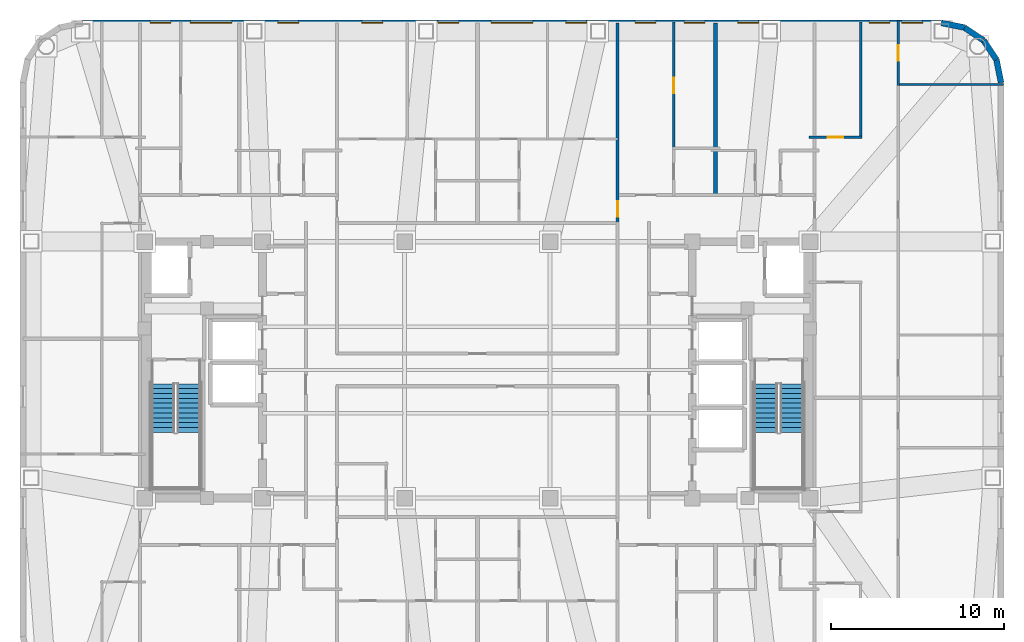
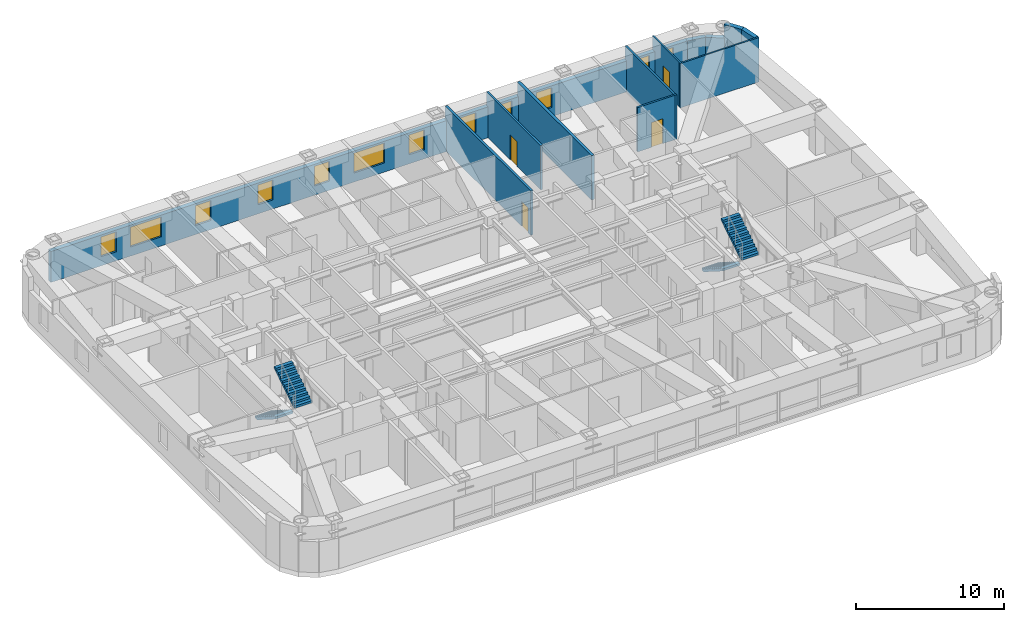
# One storey, part 14 of 16: 12 walls, 12 windows, 4 doors, 4 stair flights, 16 openings, 2 elements without a shape of their own.
"""IFC4 building model written with IfcOpenShell, lengths in metres."""

from ifc_helpers import new_model, si_unit, direction, frame, frame_2d, origin, place, context, subcontext, project, spatial, polyline, rectangle, outline, extrude, material, layer, layer_set, type_object, element, fill, aggregate, save


model = new_model("IFC4")

# Units and contexts
model_context = context("Model", 3, precision=1e-05, world=origin(), true_north=direction((0.0, 1.0)))
body_context = subcontext(model_context, "Body", "Model", "MODEL_VIEW")
ifc_project = project(units=[si_unit("LENGTHUNIT", "METRE"), si_unit("AREAUNIT", "SQUARE_METRE"), si_unit("VOLUMEUNIT", "CUBIC_METRE"), si_unit("PLANEANGLEUNIT", "RADIAN"), si_unit("MASSUNIT", "GRAM", prefix="KILO")], contexts=[model_context])

# Site, building, storey
site_placement = place(None, origin())
site = spatial("IfcSite", under=ifc_project, at=site_placement, CompositionType="ELEMENT")
building_placement = place(site_placement, origin())
building = spatial("IfcBuilding", under=site, at=building_placement, Name="Voryun Gate Residences", CompositionType="ELEMENT")
storey_placement = place(building_placement, frame((0.0, 0.0, 200.199951171875)))
storey = spatial("IfcBuildingStorey", under=building, at=storey_placement, Name="L49", CompositionType="ELEMENT", Elevation=200.199951171875)

# Wall, opening, door
ifc_material_1 = material(Name="Gypsum acoustic fireboard")
ifc_layer_1 = layer(ifc_material_1, 0.179931640625, Name="W_CORR_RATED_180")
ifc_layer_set_1 = layer_set([ifc_layer_1], Name="Gypsum acoustic fireboard")
wall_type_1 = type_object("IfcWallType", Name="W_CORR_RATED_180", PredefinedType="PARTITIONING", material=ifc_layer_set_1)
wall_1_placement = place(storey_placement, frame((8.10009765625, 8.489990234375, 0.0), z_axis=(0.0, 0.0, 1.0), x_axis=(0.0, 1.0, 0.0)))
wall_1 = element("IfcWall", 1, at=wall_1_placement, inside=storey, type_object=wall_type_1, Name="Partition wall WP-L49-NZV-2", PredefinedType="PARTITIONING", context=body_context, shape_type="SweptSolid", body=[
    extrude(rectangle(XDim=11.5400390625, YDim=0.179931640625, at=frame_2d((5.77001953125, 0.0))), origin(), (0.0, 0.0, 1.0), 3.650146484375),
])
opening_1_placement = place(wall_1_placement, frame((0.349609375, 0.0, 0.0)))
opening_1 = element("IfcOpeningElement", 2, at=opening_1_placement, cuts=wall_1, Name="Opening D-INT-2", PredefinedType="OPENING", context=body_context, shape_type="SweptSolid", body=[
    extrude(rectangle(XDim=0.89990234375, YDim=2.050048828125, at=frame_2d((0.449951171875, 1.02490234375))), frame((0.0, 0.099853515625, 0.0), z_axis=(0.0, -1.0, 0.0), x_axis=(1.0, 0.0, 0.0)), (0.0, 0.0, 1.0), 0.199951171875),
])
ifc_material_2 = material(Name="Architectural oak veneer")
door_type = type_object("IfcDoorType", Name="DR_INT_BATH_900", OperationType="NOTDEFINED", PredefinedType="DOOR", material=ifc_material_2)
door_1_placement = place(opening_1_placement, origin())
door_1 = element("IfcDoor", 3, at=door_1_placement, inside=storey, type_object=door_type, Name="Door DR-L49-NZENT-2", OperationType="SINGLE_SWING_RIGHT", OverallHeight=2.050048828125, OverallWidth=0.89990234375, PredefinedType="DOOR", context=body_context, shape_type="SweptSolid", body=[
    extrude(rectangle(XDim=0.89990234375, YDim=2.050048828125, at=frame_2d((0.449951171875, 1.02490234375))), frame((0.0, 0.02490234375, 0.0), z_axis=(0.0, -1.0, 0.0), x_axis=(1.0, 0.0, 0.0)), (0.0, 0.0, 1.0), 0.050048828125),
])
fill(opening_1, door_1)

# Wall, openings, windows
ifc_material_3 = material(Name="Charcoal terracotta masonry", Category="masonry")
ifc_layer_2 = layer(ifc_material_3, 0.340087890625, Name="W_EXT_TERRACOTTA_340")
ifc_layer_set_2 = layer_set([ifc_layer_2], Name="Charcoal terracotta masonry")
wall_type_2 = type_object("IfcWallType", Name="W_EXT_TERRACOTTA_340", PredefinedType="ELEMENTEDWALL", material=ifc_layer_set_2)
wall_2_placement = place(storey_placement, frame((-22.783203125, 20.030029296875, 0.0), z_axis=(0.0, 0.0, 1.0), x_axis=(1.0, 0.0, 0.0)))
wall_2 = element("IfcWall", 4, at=wall_2_placement, inside=storey, type_object=wall_type_2, Name="Exterior wall WEXT-L49-11", PredefinedType="ELEMENTEDWALL", context=body_context, shape_type="SweptSolid", body=[
    extrude(rectangle(XDim=49.56640625, YDim=0.340087890625, at=frame_2d((24.783203125, 0.0))), origin(), (0.0, 0.0, 1.0), 2.5400390625),
])
opening_2_placement = place(wall_2_placement, frame((6.211181640625, 0.0, 0.75)))
opening_2 = element("IfcOpeningElement", 5, at=opening_2_placement, cuts=wall_2, Name="Opening WN2", PredefinedType="OPENING", context=body_context, shape_type="SweptSolid", body=[
    extrude(rectangle(XDim=2.39990234375, YDim=1.6298828125, at=frame_2d((1.199951171875, 0.81494140625))), frame((0.0, 0.179931640625, 0.0), z_axis=(0.0, -1.0, 0.0), x_axis=(1.0, 0.0, 0.0)), (0.0, 0.0, 1.0), 0.360107421875),
])
opening_3_placement = place(wall_2_placement, frame((23.583251953125, 0.0, 0.75)))
opening_3 = element("IfcOpeningElement", 6, at=opening_3_placement, cuts=wall_2, Name="Opening WN2", PredefinedType="OPENING", context=body_context, shape_type="SweptSolid", body=[
    extrude(rectangle(XDim=2.39990234375, YDim=1.6298828125, at=frame_2d((1.199951171875, 0.81494140625))), frame((0.0, 0.179931640625, 0.0), z_axis=(0.0, -1.0, 0.0), x_axis=(1.0, 0.0, 0.0)), (0.0, 0.0, 1.0), 0.360107421875),
])
opening_4_placement = place(wall_2_placement, frame((3.892822265625, 0.0, 0.75)))
opening_4 = element("IfcOpeningElement", 7, at=opening_4_placement, cuts=wall_2, Name="Opening WN6", PredefinedType="OPENING", context=body_context, shape_type="SweptSolid", body=[
    extrude(rectangle(XDim=1.199951171875, YDim=1.6298828125, at=frame_2d((0.60009765625, 0.81494140625))), frame((0.0, 0.179931640625, 0.0), z_axis=(0.0, -1.0, 0.0), x_axis=(1.0, 0.0, 0.0)), (0.0, 0.0, 1.0), 0.360107421875),
])
opening_5_placement = place(wall_2_placement, frame((11.273193359375, 0.0, 0.75)))
opening_5 = element("IfcOpeningElement", 8, at=opening_5_placement, cuts=wall_2, Name="Opening WN6", PredefinedType="OPENING", context=body_context, shape_type="SweptSolid", body=[
    extrude(rectangle(XDim=1.199951171875, YDim=1.6298828125, at=frame_2d((0.60009765625, 0.81494140625))), frame((0.0, 0.179931640625, 0.0), z_axis=(0.0, -1.0, 0.0), x_axis=(1.0, 0.0, 0.0)), (0.0, 0.0, 1.0), 0.360107421875),
])
opening_6_placement = place(wall_2_placement, frame((31.888916015625, 0.0, 0.75)))
opening_6 = element("IfcOpeningElement", 9, at=opening_6_placement, cuts=wall_2, Name="Opening WN6", PredefinedType="OPENING", context=body_context, shape_type="SweptSolid", body=[
    extrude(rectangle(XDim=1.199951171875, YDim=1.6298828125, at=frame_2d((0.60009765625, 0.81494140625))), frame((0.0, 0.179931640625, 0.0), z_axis=(0.0, -1.0, 0.0), x_axis=(1.0, 0.0, 0.0)), (0.0, 0.0, 1.0), 0.360107421875),
])
opening_7_placement = place(wall_2_placement, frame((34.71875, 0.0, 0.75)))
opening_7 = element("IfcOpeningElement", 10, at=opening_7_placement, cuts=wall_2, Name="Opening WN6", PredefinedType="OPENING", context=body_context, shape_type="SweptSolid", body=[
    extrude(rectangle(XDim=1.199951171875, YDim=1.6298828125, at=frame_2d((0.60009765625, 0.81494140625))), frame((0.0, 0.179931640625, 0.0), z_axis=(0.0, -1.0, 0.0), x_axis=(1.0, 0.0, 0.0)), (0.0, 0.0, 1.0), 0.360107421875),
])
opening_8_placement = place(wall_2_placement, frame((37.8232421875, 0.0, 0.75)))
opening_8 = element("IfcOpeningElement", 11, at=opening_8_placement, cuts=wall_2, Name="Opening WN6", PredefinedType="OPENING", context=body_context, shape_type="SweptSolid", body=[
    extrude(rectangle(XDim=1.199951171875, YDim=1.6298828125, at=frame_2d((0.60009765625, 0.81494140625))), frame((0.0, 0.179931640625, 0.0), z_axis=(0.0, -1.0, 0.0), x_axis=(1.0, 0.0, 0.0)), (0.0, 0.0, 1.0), 0.360107421875),
])
opening_9_placement = place(wall_2_placement, frame((16.11328125, 0.0, 0.75)))
opening_9 = element("IfcOpeningElement", 12, at=opening_9_placement, cuts=wall_2, Name="Opening WN6", PredefinedType="OPENING", context=body_context, shape_type="SweptSolid", body=[
    extrude(rectangle(XDim=1.199951171875, YDim=1.6298828125, at=frame_2d((0.60009765625, 0.81494140625))), frame((0.0, 0.179931640625, 0.0), z_axis=(0.0, -1.0, 0.0), x_axis=(1.0, 0.0, 0.0)), (0.0, 0.0, 1.0), 0.360107421875),
])
opening_10_placement = place(wall_2_placement, frame((20.51318359375, 0.0, 0.75)))
opening_10 = element("IfcOpeningElement", 13, at=opening_10_placement, cuts=wall_2, Name="Opening WN6", PredefinedType="OPENING", context=body_context, shape_type="SweptSolid", body=[
    extrude(rectangle(XDim=1.199951171875, YDim=1.6298828125, at=frame_2d((0.60009765625, 0.81494140625))), frame((0.0, 0.179931640625, 0.0), z_axis=(0.0, -1.0, 0.0), x_axis=(1.0, 0.0, 0.0)), (0.0, 0.0, 1.0), 0.360107421875),
])
opening_11_placement = place(wall_2_placement, frame((27.893310546875, 0.0, 0.75)))
opening_11 = element("IfcOpeningElement", 14, at=opening_11_placement, cuts=wall_2, Name="Opening WN6", PredefinedType="OPENING", context=body_context, shape_type="SweptSolid", body=[
    extrude(rectangle(XDim=1.199951171875, YDim=1.6298828125, at=frame_2d((0.60009765625, 0.81494140625))), frame((0.0, 0.179931640625, 0.0), z_axis=(0.0, -1.0, 0.0), x_axis=(1.0, 0.0, 0.0)), (0.0, 0.0, 1.0), 0.360107421875),
])
opening_12_placement = place(wall_2_placement, frame((45.393310546875, 0.0, 0.75)))
opening_12 = element("IfcOpeningElement", 15, at=opening_12_placement, cuts=wall_2, Name="Opening WN6", PredefinedType="OPENING", context=body_context, shape_type="SweptSolid", body=[
    extrude(rectangle(XDim=1.199951171875, YDim=1.6298828125, at=frame_2d((0.60009765625, 0.81494140625))), frame((0.0, 0.179931640625, 0.0), z_axis=(0.0, -1.0, 0.0), x_axis=(1.0, 0.0, 0.0)), (0.0, 0.0, 1.0), 0.360107421875),
])
opening_13_placement = place(wall_2_placement, frame((47.280029296875, 0.0, 0.75)))
opening_13 = element("IfcOpeningElement", 16, at=opening_13_placement, cuts=wall_2, Name="Opening WN6", PredefinedType="OPENING", context=body_context, shape_type="SweptSolid", body=[
    extrude(rectangle(XDim=1.199951171875, YDim=1.6298828125, at=frame_2d((0.60009765625, 0.81494140625))), frame((0.0, 0.179931640625, 0.0), z_axis=(0.0, -1.0, 0.0), x_axis=(1.0, 0.0, 0.0)), (0.0, 0.0, 1.0), 0.360107421875),
])
ifc_material_4 = material(Name="Laminated low-E glass", Category="glass")
window_type_1 = type_object("IfcWindowType", Name="WN_POD_SLOT_1200", PartitioningType="SINGLE_PANEL", PredefinedType="WINDOW", material=ifc_material_4)
window_1_placement = place(opening_4_placement, origin())
window_1 = element("IfcWindow", 17, at=window_1_placement, inside=storey, type_object=window_type_1, Name="Window WN-L49-DWFIX-01", OverallHeight=1.6298828125, OverallWidth=1.199951171875, PartitioningType="SINGLE_PANEL", PredefinedType="WINDOW", context=body_context, shape_type="SweptSolid", body=[
    extrude(rectangle(XDim=1.199951171875, YDim=1.6298828125, at=frame_2d((0.60009765625, 0.81494140625))), frame((0.0, 0.030029296875, 0.0), z_axis=(0.0, -1.0, 0.0), x_axis=(1.0, 0.0, 0.0)), (0.0, 0.0, 1.0), 0.06005859375),
])
fill(opening_4, window_1)
window_2_placement = place(opening_5_placement, origin())
window_2 = element("IfcWindow", 18, at=window_2_placement, inside=storey, type_object=window_type_1, Name="Window WN-L49-DWFIX-02", OverallHeight=1.6298828125, OverallWidth=1.199951171875, PartitioningType="SINGLE_PANEL", PredefinedType="WINDOW", context=body_context, shape_type="SweptSolid", body=[
    extrude(rectangle(XDim=1.199951171875, YDim=1.6298828125, at=frame_2d((0.60009765625, 0.81494140625))), frame((0.0, 0.030029296875, 0.0), z_axis=(0.0, -1.0, 0.0), x_axis=(1.0, 0.0, 0.0)), (0.0, 0.0, 1.0), 0.06005859375),
])
fill(opening_5, window_2)
window_3_placement = place(opening_6_placement, origin())
window_3 = element("IfcWindow", 19, at=window_3_placement, inside=storey, type_object=window_type_1, Name="Window WN-L49-DWFIX-03", OverallHeight=1.6298828125, OverallWidth=1.199951171875, PartitioningType="SINGLE_PANEL", PredefinedType="WINDOW", context=body_context, shape_type="SweptSolid", body=[
    extrude(rectangle(XDim=1.199951171875, YDim=1.6298828125, at=frame_2d((0.60009765625, 0.81494140625))), frame((0.0, 0.030029296875, 0.0), z_axis=(0.0, -1.0, 0.0), x_axis=(1.0, 0.0, 0.0)), (0.0, 0.0, 1.0), 0.06005859375),
])
fill(opening_6, window_3)
window_4_placement = place(opening_7_placement, origin())
window_4 = element("IfcWindow", 20, at=window_4_placement, inside=storey, type_object=window_type_1, Name="Window WN-L49-DWFIX-04", OverallHeight=1.6298828125, OverallWidth=1.199951171875, PartitioningType="SINGLE_PANEL", PredefinedType="WINDOW", context=body_context, shape_type="SweptSolid", body=[
    extrude(rectangle(XDim=1.199951171875, YDim=1.6298828125, at=frame_2d((0.60009765625, 0.81494140625))), frame((0.0, 0.030029296875, 0.0), z_axis=(0.0, -1.0, 0.0), x_axis=(1.0, 0.0, 0.0)), (0.0, 0.0, 1.0), 0.06005859375),
])
fill(opening_7, window_4)
window_5_placement = place(opening_8_placement, origin())
window_5 = element("IfcWindow", 21, at=window_5_placement, inside=storey, type_object=window_type_1, Name="Window WN-L49-DWFIX-05", OverallHeight=1.6298828125, OverallWidth=1.199951171875, PartitioningType="SINGLE_PANEL", PredefinedType="WINDOW", context=body_context, shape_type="SweptSolid", body=[
    extrude(rectangle(XDim=1.199951171875, YDim=1.6298828125, at=frame_2d((0.60009765625, 0.81494140625))), frame((0.0, 0.030029296875, 0.0), z_axis=(0.0, -1.0, 0.0), x_axis=(1.0, 0.0, 0.0)), (0.0, 0.0, 1.0), 0.06005859375),
])
fill(opening_8, window_5)
window_6_placement = place(opening_9_placement, origin())
window_6 = element("IfcWindow", 22, at=window_6_placement, inside=storey, type_object=window_type_1, Name="Window WN-L49-DWFIX-06", OverallHeight=1.6298828125, OverallWidth=1.199951171875, PartitioningType="SINGLE_PANEL", PredefinedType="WINDOW", context=body_context, shape_type="SweptSolid", body=[
    extrude(rectangle(XDim=1.199951171875, YDim=1.6298828125, at=frame_2d((0.60009765625, 0.81494140625))), frame((0.0, 0.030029296875, 0.0), z_axis=(0.0, -1.0, 0.0), x_axis=(1.0, 0.0, 0.0)), (0.0, 0.0, 1.0), 0.06005859375),
])
fill(opening_9, window_6)
window_7_placement = place(opening_10_placement, origin())
window_7 = element("IfcWindow", 23, at=window_7_placement, inside=storey, type_object=window_type_1, Name="Window WN-L49-DWFIX-07", OverallHeight=1.6298828125, OverallWidth=1.199951171875, PartitioningType="SINGLE_PANEL", PredefinedType="WINDOW", context=body_context, shape_type="SweptSolid", body=[
    extrude(rectangle(XDim=1.199951171875, YDim=1.6298828125, at=frame_2d((0.60009765625, 0.81494140625))), frame((0.0, 0.030029296875, 0.0), z_axis=(0.0, -1.0, 0.0), x_axis=(1.0, 0.0, 0.0)), (0.0, 0.0, 1.0), 0.06005859375),
])
fill(opening_10, window_7)
window_8_placement = place(opening_11_placement, origin())
window_8 = element("IfcWindow", 24, at=window_8_placement, inside=storey, type_object=window_type_1, Name="Window WN-L49-DWFIX-08", OverallHeight=1.6298828125, OverallWidth=1.199951171875, PartitioningType="SINGLE_PANEL", PredefinedType="WINDOW", context=body_context, shape_type="SweptSolid", body=[
    extrude(rectangle(XDim=1.199951171875, YDim=1.6298828125, at=frame_2d((0.60009765625, 0.81494140625))), frame((0.0, 0.030029296875, 0.0), z_axis=(0.0, -1.0, 0.0), x_axis=(1.0, 0.0, 0.0)), (0.0, 0.0, 1.0), 0.06005859375),
])
fill(opening_11, window_8)
window_9_placement = place(opening_12_placement, origin())
window_9 = element("IfcWindow", 25, at=window_9_placement, inside=storey, type_object=window_type_1, Name="Window WN-L49-DWFIX-14", OverallHeight=1.6298828125, OverallWidth=1.199951171875, PartitioningType="SINGLE_PANEL", PredefinedType="WINDOW", context=body_context, shape_type="SweptSolid", body=[
    extrude(rectangle(XDim=1.199951171875, YDim=1.6298828125, at=frame_2d((0.60009765625, 0.81494140625))), frame((0.0, 0.030029296875, 0.0), z_axis=(0.0, -1.0, 0.0), x_axis=(1.0, 0.0, 0.0)), (0.0, 0.0, 1.0), 0.06005859375),
])
fill(opening_12, window_9)
window_10_placement = place(opening_13_placement, origin())
window_10 = element("IfcWindow", 26, at=window_10_placement, inside=storey, type_object=window_type_1, Name="Window WN-L49-DWFIX-15", OverallHeight=1.6298828125, OverallWidth=1.199951171875, PartitioningType="SINGLE_PANEL", PredefinedType="WINDOW", context=body_context, shape_type="SweptSolid", body=[
    extrude(rectangle(XDim=1.199951171875, YDim=1.6298828125, at=frame_2d((0.60009765625, 0.81494140625))), frame((0.0, 0.030029296875, 0.0), z_axis=(0.0, -1.0, 0.0), x_axis=(1.0, 0.0, 0.0)), (0.0, 0.0, 1.0), 0.06005859375),
])
fill(opening_13, window_10)
ifc_material_5 = material(Name="Laminated low-E glass", Category="glass")
window_type_2 = type_object("IfcWindowType", Name="WN_RES_WIDE_2400", PartitioningType="SINGLE_PANEL", PredefinedType="WINDOW", material=ifc_material_5)
window_11_placement = place(opening_2_placement, origin())
window_11 = element("IfcWindow", 27, at=window_11_placement, inside=storey, type_object=window_type_2, Name="Window WN-WEXT-L49-11-01", OverallHeight=1.6298828125, OverallWidth=2.39990234375, PartitioningType="SINGLE_PANEL", PredefinedType="WINDOW", context=body_context, shape_type="SweptSolid", body=[
    extrude(rectangle(XDim=2.39990234375, YDim=1.6298828125, at=frame_2d((1.199951171875, 0.81494140625))), frame((0.0, 0.030029296875, 0.0), z_axis=(0.0, -1.0, 0.0), x_axis=(1.0, 0.0, 0.0)), (0.0, 0.0, 1.0), 0.06005859375),
])
fill(opening_2, window_11)
window_12_placement = place(opening_3_placement, origin())
window_12 = element("IfcWindow", 28, at=window_12_placement, inside=storey, type_object=window_type_2, Name="Window WN-WEXT-L49-11-02", OverallHeight=1.6298828125, OverallWidth=2.39990234375, PartitioningType="SINGLE_PANEL", PredefinedType="WINDOW", context=body_context, shape_type="SweptSolid", body=[
    extrude(rectangle(XDim=2.39990234375, YDim=1.6298828125, at=frame_2d((1.199951171875, 0.81494140625))), frame((0.0, 0.030029296875, 0.0), z_axis=(0.0, -1.0, 0.0), x_axis=(1.0, 0.0, 0.0)), (0.0, 0.0, 1.0), 0.06005859375),
])
fill(opening_3, window_12)

# Walls
wall_3_placement = place(storey_placement, frame((26.783203125, 20.030029296875, 0.0), z_axis=(0.0, 0.0, 1.0), x_axis=(0.980788153188, -0.195075878998, 0.0)))
element("IfcWall", 29, at=wall_3_placement, inside=storey, type_object=wall_type_2, Name="Exterior wall WEXT-L49-12", PredefinedType="ELEMENTEDWALL", context=body_context, shape_type="SweptSolid", body=[
    extrude(rectangle(XDim=1.354248046875, YDim=0.340087890625, at=frame_2d((0.67724609375, 0.0))), origin(), (0.0, 0.0, 1.0), 2.5400390625),
])
wall_4_placement = place(storey_placement, frame((28.111328125, 19.765869140625, 0.0), z_axis=(0.0, 0.0, 1.0), x_axis=(0.831403586725, -0.555669034571, 0.0)))
element("IfcWall", 30, at=wall_4_placement, inside=storey, type_object=wall_type_2, Name="Exterior wall WEXT-L49-13", PredefinedType="ELEMENTEDWALL", context=body_context, shape_type="SweptSolid", body=[
    extrude(rectangle(XDim=1.3369140625, YDim=0.340087890625, at=frame_2d((0.66845703125, 0.0))), origin(), (0.0, 0.0, 1.0), 2.5400390625),
])
wall_5_placement = place(storey_placement, frame((29.222900390625, 19.02294921875, 0.0), z_axis=(0.0, 0.0, 1.0), x_axis=(0.555669034571, -0.831403586725, 0.0)))
element("IfcWall", 31, at=wall_5_placement, inside=storey, type_object=wall_type_2, Name="Exterior wall WEXT-L49-14", PredefinedType="ELEMENTEDWALL", context=body_context, shape_type="SweptSolid", body=[
    extrude(rectangle(XDim=1.3369140625, YDim=0.340087890625, at=frame_2d((0.66845703125, 0.0))), origin(), (0.0, 0.0, 1.0), 3.650146484375),
])
wall_6_placement = place(storey_placement, frame((29.9658203125, 17.911376953125, 0.0), z_axis=(0.0, 0.0, 1.0), x_axis=(0.195075878998, -0.980788153188, 0.0)))
element("IfcWall", 32, at=wall_6_placement, inside=storey, type_object=wall_type_2, Name="Exterior wall WEXT-L49-15", PredefinedType="ELEMENTEDWALL", context=body_context, shape_type="SweptSolid", body=[
    extrude(rectangle(XDim=1.354248046875, YDim=0.340087890625, at=frame_2d((0.67724609375, 0.0))), origin(), (0.0, 0.0, 1.0), 3.650146484375),
])
ifc_material_6 = material(Name="Concrete C40/50", Category="concrete")
ifc_layer_3 = layer(ifc_material_6, 0.219970703125, Name="W_PARTY_ACOUSTIC_220")
ifc_layer_set_3 = layer_set([ifc_layer_3], Name="Concrete C40/50")
wall_type_3 = type_object("IfcWallType", Name="W_PARTY_ACOUSTIC_220", PredefinedType="PARTITIONING", material=ifc_layer_set_3)
wall_7_placement = place(storey_placement, frame((13.739990234375, 10.02001953125, 0.0), z_axis=(0.0, 0.0, 1.0), x_axis=(0.0, 1.0, 0.0)))
element("IfcWall", 33, at=wall_7_placement, inside=storey, type_object=wall_type_3, Name="Partition wall WP-L49-NPTY-4", PredefinedType="PARTITIONING", context=body_context, shape_type="SweptSolid", body=[
    extrude(rectangle(XDim=10.010009765625, YDim=0.219970703125, at=frame_2d((5.0048828125, 0.0))), origin(), (0.0, 0.0, 1.0), 3.650146484375),
])
ifc_material_7 = material(Name="Gypsum acoustic partition")
ifc_layer_4 = layer(ifc_material_7, 0.125, Name="W_UNIT_PART_125")
ifc_layer_set_4 = layer_set([ifc_layer_4], Name="Gypsum acoustic partition")
wall_type_4 = type_object("IfcWallType", Name="W_UNIT_PART_125", PredefinedType="PARTITIONING", material=ifc_layer_set_4)
wall_8_placement = place(storey_placement, frame((24.219970703125, 16.47705078125, 0.0), z_axis=(0.0, 0.0, 1.0), x_axis=(1.0, 0.0, 0.0)))
element("IfcWall", 34, at=wall_8_placement, inside=storey, type_object=wall_type_4, Name="Partition wall WP-L49-E2-OH2", PredefinedType="PARTITIONING", context=body_context, shape_type="SweptSolid", body=[
    extrude(rectangle(XDim=6.159912109375, YDim=0.125, at=frame_2d((3.080078125, 0.0))), origin(), (0.0, 0.0, 1.0), 3.650146484375),
])

# Wall, opening, door
wall_9_placement = place(storey_placement, frame((24.300048828125, 16.427001953125, 0.0), z_axis=(0.0, 0.0, 1.0), x_axis=(0.0, 1.0, 0.0)))
wall_9 = element("IfcWall", 35, at=wall_9_placement, inside=storey, type_object=wall_type_4, Name="Partition wall WP-L49-E2-OVX3", PredefinedType="PARTITIONING", context=body_context, shape_type="SweptSolid", body=[
    extrude(rectangle(XDim=3.7529296875, YDim=0.125, at=frame_2d((1.87646484375, 0.0))), origin(), (0.0, 0.0, 1.0), 3.650146484375),
])
opening_14_placement = place(wall_9_placement, frame((1.426513671875, 0.0, 0.0)))
opening_14 = element("IfcOpeningElement", 36, at=opening_14_placement, cuts=wall_9, Name="Opening D-INT-2", PredefinedType="OPENING", context=body_context, shape_type="SweptSolid", body=[
    extrude(rectangle(XDim=0.89990234375, YDim=2.050048828125, at=frame_2d((0.449951171875, 1.02490234375))), frame((0.0, 0.072509765625, 0.0), z_axis=(0.0, -1.0, 0.0), x_axis=(1.0, 0.0, 0.0)), (0.0, 0.0, 1.0), 0.14501953125),
])
door_2_placement = place(opening_14_placement, origin())
door_2 = element("IfcDoor", 37, at=door_2_placement, inside=storey, type_object=door_type, Name="Door DR-L49-E2-DMB", OperationType="SINGLE_SWING_LEFT", OverallHeight=2.050048828125, OverallWidth=0.89990234375, PredefinedType="DOOR", context=body_context, shape_type="SweptSolid", body=[
    extrude(rectangle(XDim=0.89990234375, YDim=2.050048828125, at=frame_2d((0.449951171875, 1.02490234375))), frame((0.0, 0.02490234375, 0.0), z_axis=(0.0, -1.0, 0.0), x_axis=(1.0, 0.0, 0.0)), (0.0, 0.0, 1.0), 0.050048828125),
])
fill(opening_14, door_2)

ifc_material_8 = material(Name="Gypsum moisture-resistant partition")
ifc_layer_5 = layer(ifc_material_8, 0.14990234375, Name="W_WET_PLUMB_150")
ifc_layer_set_5 = layer_set([ifc_layer_5], Name="Gypsum moisture-resistant partition")
wall_type_5 = type_object("IfcWallType", Name="W_WET_PLUMB_150", PredefinedType="PLUMBINGWALL", material=ifc_layer_set_5)
wall_10_placement = place(storey_placement, frame((11.3310546875, 12.760009765625, 0.0), z_axis=(0.0, 0.0, 1.0), x_axis=(0.0, 1.0, 0.0)))
wall_10 = element("IfcWall", 38, at=wall_10_placement, inside=storey, type_object=wall_type_5, Name="Partition wall WP-L49-N4-SVT2", PredefinedType="PLUMBINGWALL", context=body_context, shape_type="SweptSolid", body=[
    extrude(rectangle(XDim=7.31689453125, YDim=0.14990234375, at=frame_2d((3.658447265625, 0.0))), origin(), (0.0, 0.0, 1.0), 3.650146484375),
])
opening_15_placement = place(wall_10_placement, frame((3.20849609375, 0.0, 0.0)))
opening_15 = element("IfcOpeningElement", 39, at=opening_15_placement, cuts=wall_10, Name="Opening D-INT-2", PredefinedType="OPENING", context=body_context, shape_type="SweptSolid", body=[
    extrude(rectangle(XDim=0.89990234375, YDim=2.050048828125, at=frame_2d((0.449951171875, 1.02490234375))), frame((0.0, 0.0849609375, 0.0), z_axis=(0.0, -1.0, 0.0), x_axis=(1.0, 0.0, 0.0)), (0.0, 0.0, 1.0), 0.169921875),
])
door_3_placement = place(opening_15_placement, origin())
door_3 = element("IfcDoor", 40, at=door_3_placement, inside=storey, type_object=door_type, Name="Door DR-L49-N4-DK", OperationType="SINGLE_SWING_RIGHT", OverallHeight=2.050048828125, OverallWidth=0.89990234375, PredefinedType="DOOR", context=body_context, shape_type="SweptSolid", body=[
    extrude(rectangle(XDim=0.89990234375, YDim=2.050048828125, at=frame_2d((0.449951171875, 1.02490234375))), frame((0.0, 0.02490234375, 0.0), z_axis=(0.0, -1.0, 0.0), x_axis=(1.0, 0.0, 0.0)), (0.0, 0.0, 1.0), 0.050048828125),
])
fill(opening_15, door_3)

wall_11_placement = place(storey_placement, frame((19.14990234375, 13.43701171875, 0.0), z_axis=(0.0, 0.0, 1.0), x_axis=(1.0, 0.0, 0.0)))
wall_11 = element("IfcWall", 41, at=wall_11_placement, inside=storey, type_object=wall_type_5, Name="Partition wall WP-L49-E2-IBB", PredefinedType="PLUMBINGWALL", context=body_context, shape_type="SweptSolid", body=[
    extrude(rectangle(XDim=3.050048828125, YDim=0.14990234375, at=frame_2d((1.52490234375, 0.0))), origin(), (0.0, 0.0, 1.0), 3.650146484375),
])
opening_16_placement = place(wall_11_placement, frame((1.074951171875, 0.0, 0.0)))
opening_16 = element("IfcOpeningElement", 42, at=opening_16_placement, cuts=wall_11, Name="Opening D-INT-2", PredefinedType="OPENING", context=body_context, shape_type="SweptSolid", body=[
    extrude(rectangle(XDim=0.89990234375, YDim=2.050048828125, at=frame_2d((0.449951171875, 1.02490234375))), frame((0.0, 0.0849609375, 0.0), z_axis=(0.0, -1.0, 0.0), x_axis=(1.0, 0.0, 0.0)), (0.0, 0.0, 1.0), 0.169921875),
])
door_4_placement = place(opening_16_placement, origin())
door_4 = element("IfcDoor", 43, at=door_4_placement, inside=storey, type_object=door_type, Name="Door DR-L49-E2-DB", OperationType="SINGLE_SWING_RIGHT", OverallHeight=2.050048828125, OverallWidth=0.89990234375, PredefinedType="DOOR", context=body_context, shape_type="SweptSolid", body=[
    extrude(rectangle(XDim=0.89990234375, YDim=2.050048828125, at=frame_2d((0.449951171875, 1.02490234375))), frame((0.0, 0.02490234375, 0.0), z_axis=(0.0, -1.0, 0.0), x_axis=(1.0, 0.0, 0.0)), (0.0, 0.0, 1.0), 0.050048828125),
])
fill(opening_16, door_4)

# Wall
wall_12_placement = place(storey_placement, frame((22.1201171875, 13.35693359375, 0.0), z_axis=(0.0, 0.0, 1.0), x_axis=(0.0, 1.0, 0.0)))
element("IfcWall", 44, at=wall_12_placement, inside=storey, type_object=wall_type_5, Name="Partition wall WP-L49-E2-VTB", PredefinedType="PLUMBINGWALL", context=body_context, shape_type="SweptSolid", body=[
    extrude(rectangle(XDim=6.719970703125, YDim=0.14990234375, at=frame_2d((3.35986328125, 0.0))), origin(), (0.0, 0.0, 1.0), 3.650146484375),
])

# Stair, stair flights
ifc_material_9 = material(Name="Concrete C40/50", Category="concrete")
stair_type = type_object("IfcStairType", Name="STR_CORE_DOGLEG_1350", PredefinedType="HALF_TURN_STAIR", material=ifc_material_9)
stair_1_placement = place(storey_placement, origin())
stair_1 = element("IfcStair", 45, at=stair_1_placement, inside=storey, type_object=stair_type, Name="L49 Special Escape Stair ST-W1", PredefinedType="HALF_TURN_STAIR")
ifc_material_10 = material(Name="Concrete C40/50", Category="concrete")
stair_flight_type = type_object("IfcStairFlightType", Name="FLT_CORE_1350", PredefinedType="STRAIGHT", material=ifc_material_10)
stair_flight_1_placement = place(storey_placement, frame((-18.14990234375, -0.800048828125, 0.0), z_axis=(0.0, 0.0, 1.0), x_axis=(0.0, -1.0, 0.0)))
stair_flight_1 = element("IfcStairFlight", 46, at=stair_flight_1_placement, type_object=stair_flight_type, Name="ST-W1 flight 1", NumberOfRisers=11, NumberOfTreads=10, PredefinedType="STRAIGHT", RiserHeight=0.177272727, TreadLength=0.28, context=body_context, shape_type="SweptSolid", body=[
    extrude(outline(polyline([(0.0, 0.0), (0.0, 0.17724609375), (0.280029296875, 0.17724609375), (0.280029296875, 0.3544921875), (0.56005859375, 0.3544921875), (0.56005859375, 0.53173828125), (0.840087890625, 0.53173828125), (0.840087890625, 0.708984375), (1.1201171875, 0.708984375), (1.1201171875, 0.886474609375), (1.39990234375, 0.886474609375), (1.39990234375, 1.063720703125), (1.679931640625, 1.063720703125), (1.679931640625, 1.240966796875), (1.9599609375, 1.240966796875), (1.9599609375, 1.418212890625), (2.239990234375, 1.418212890625), (2.239990234375, 1.595458984375), (2.52001953125, 1.595458984375), (2.52001953125, 1.772705078125), (2.800048828125, 1.772705078125), (2.800048828125, 1.949951171875), (2.800048828125, 1.59521484375), (0.2802734375, 0.0), (0.0, 0.0)])), frame((0.0, 0.675048828125, 0.0), z_axis=(0.0, -1.0, 0.0), x_axis=(1.0, 0.0, 0.0)), (0.0, 0.0, 1.0), 1.35009765625),
])
stair_flight_2_placement = place(storey_placement, frame((-16.64990234375, -3.60009765625, 1.949951171875), z_axis=(0.0, 0.0, 1.0), x_axis=(0.0, 1.0, 0.0)))
stair_flight_2 = element("IfcStairFlight", 47, at=stair_flight_2_placement, type_object=stair_flight_type, Name="ST-W1 flight 2", NumberOfRisers=11, NumberOfTreads=10, PredefinedType="STRAIGHT", RiserHeight=0.177272727, TreadLength=0.28, context=body_context, shape_type="SweptSolid", body=[
    extrude(outline(polyline([(0.0, 0.0), (0.0, 0.17724609375), (0.280029296875, 0.17724609375), (0.280029296875, 0.3544921875), (0.56005859375, 0.3544921875), (0.56005859375, 0.53173828125), (0.840087890625, 0.53173828125), (0.840087890625, 0.708984375), (1.1201171875, 0.708984375), (1.1201171875, 0.886474609375), (1.39990234375, 0.886474609375), (1.39990234375, 1.063720703125), (1.679931640625, 1.063720703125), (1.679931640625, 1.240966796875), (1.9599609375, 1.240966796875), (1.9599609375, 1.418212890625), (2.239990234375, 1.418212890625), (2.239990234375, 1.595458984375), (2.52001953125, 1.595458984375), (2.52001953125, 1.772705078125), (2.800048828125, 1.772705078125), (2.800048828125, 1.949951171875), (2.800048828125, 1.59521484375), (0.2802734375, 0.0), (0.0, 0.0)])), frame((0.0, 0.675048828125, 0.0), z_axis=(0.0, -1.0, 0.0), x_axis=(1.0, 0.0, 0.0)), (0.0, 0.0, 1.0), 1.35009765625),
])
aggregate(stair_1, [stair_flight_1, stair_flight_2])

stair_2_placement = place(storey_placement, origin())
stair_2 = element("IfcStair", 48, at=stair_2_placement, inside=storey, type_object=stair_type, Name="L49 Special Escape Stair ST-E1", PredefinedType="HALF_TURN_STAIR")
stair_flight_3_placement = place(storey_placement, frame((16.64990234375, -0.800048828125, 0.0), z_axis=(0.0, 0.0, 1.0), x_axis=(0.0, -1.0, 0.0)))
stair_flight_3 = element("IfcStairFlight", 49, at=stair_flight_3_placement, type_object=stair_flight_type, Name="ST-E1 flight 1", NumberOfRisers=11, NumberOfTreads=10, PredefinedType="STRAIGHT", RiserHeight=0.177272727, TreadLength=0.28, context=body_context, shape_type="SweptSolid", body=[
    extrude(outline(polyline([(0.0, 0.0), (0.0, 0.17724609375), (0.280029296875, 0.17724609375), (0.280029296875, 0.3544921875), (0.56005859375, 0.3544921875), (0.56005859375, 0.53173828125), (0.840087890625, 0.53173828125), (0.840087890625, 0.708984375), (1.1201171875, 0.708984375), (1.1201171875, 0.886474609375), (1.39990234375, 0.886474609375), (1.39990234375, 1.063720703125), (1.679931640625, 1.063720703125), (1.679931640625, 1.240966796875), (1.9599609375, 1.240966796875), (1.9599609375, 1.418212890625), (2.239990234375, 1.418212890625), (2.239990234375, 1.595458984375), (2.52001953125, 1.595458984375), (2.52001953125, 1.772705078125), (2.800048828125, 1.772705078125), (2.800048828125, 1.949951171875), (2.800048828125, 1.59521484375), (0.2802734375, 0.0), (0.0, 0.0)])), frame((0.0, 0.675048828125, 0.0), z_axis=(0.0, -1.0, 0.0), x_axis=(1.0, 0.0, 0.0)), (0.0, 0.0, 1.0), 1.35009765625),
])
stair_flight_4_placement = place(storey_placement, frame((18.14990234375, -3.60009765625, 1.949951171875), z_axis=(0.0, 0.0, 1.0), x_axis=(0.0, 1.0, 0.0)))
stair_flight_4 = element("IfcStairFlight", 50, at=stair_flight_4_placement, type_object=stair_flight_type, Name="ST-E1 flight 2", NumberOfRisers=11, NumberOfTreads=10, PredefinedType="STRAIGHT", RiserHeight=0.177272727, TreadLength=0.28, context=body_context, shape_type="SweptSolid", body=[
    extrude(outline(polyline([(0.0, 0.0), (0.0, 0.17724609375), (0.280029296875, 0.17724609375), (0.280029296875, 0.3544921875), (0.56005859375, 0.3544921875), (0.56005859375, 0.53173828125), (0.840087890625, 0.53173828125), (0.840087890625, 0.708984375), (1.1201171875, 0.708984375), (1.1201171875, 0.886474609375), (1.39990234375, 0.886474609375), (1.39990234375, 1.063720703125), (1.679931640625, 1.063720703125), (1.679931640625, 1.240966796875), (1.9599609375, 1.240966796875), (1.9599609375, 1.418212890625), (2.239990234375, 1.418212890625), (2.239990234375, 1.595458984375), (2.52001953125, 1.595458984375), (2.52001953125, 1.772705078125), (2.800048828125, 1.772705078125), (2.800048828125, 1.949951171875), (2.800048828125, 1.59521484375), (0.2802734375, 0.0), (0.0, 0.0)])), frame((0.0, 0.675048828125, 0.0), z_axis=(0.0, -1.0, 0.0), x_axis=(1.0, 0.0, 0.0)), (0.0, 0.0, 1.0), 1.35009765625),
])
aggregate(stair_2, [stair_flight_3, stair_flight_4])

save(model, "model.ifc")
